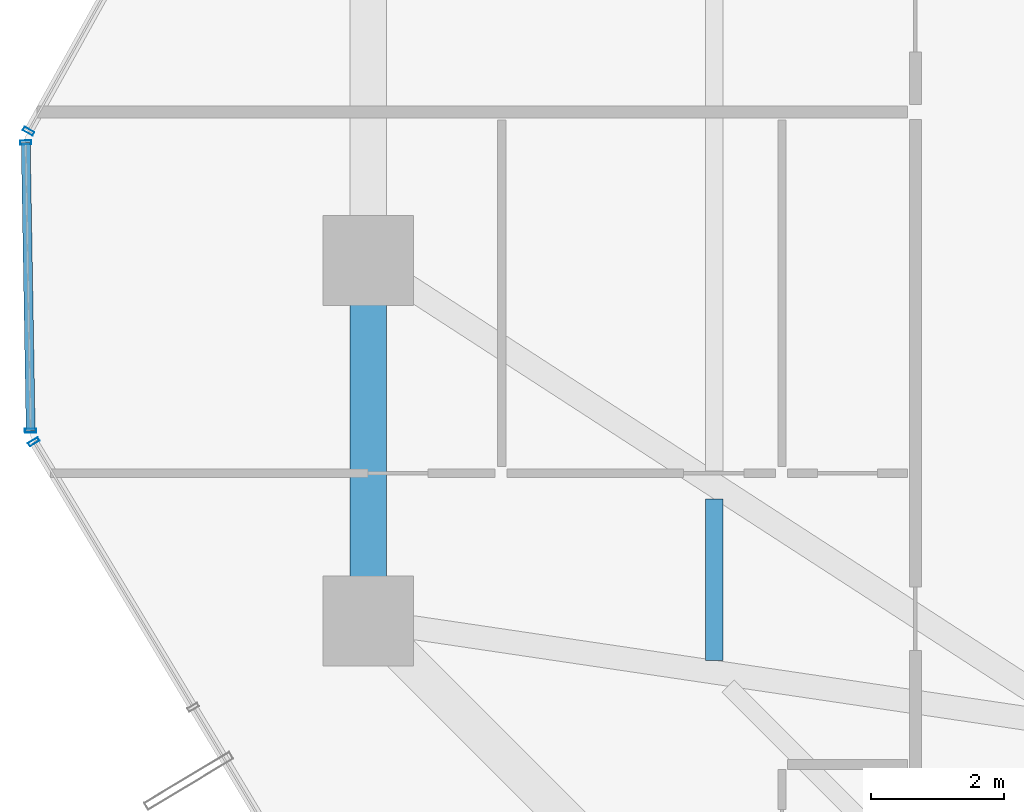
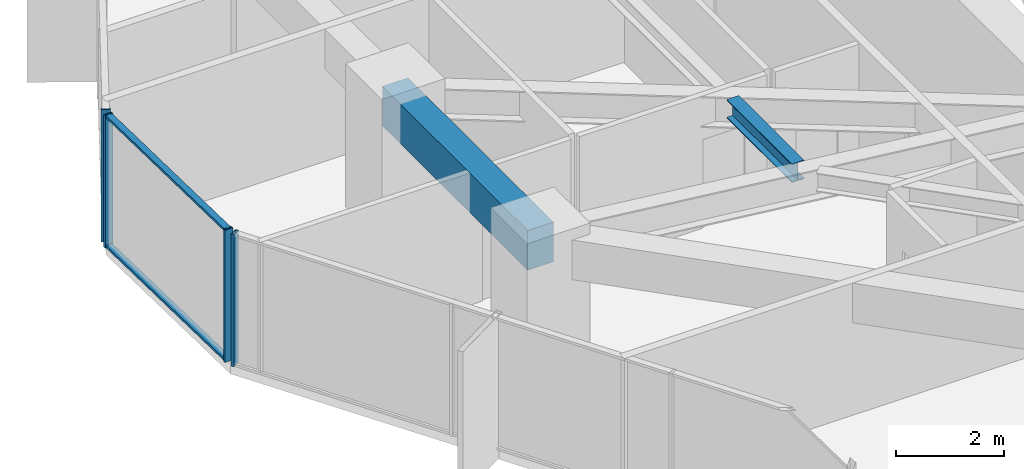
# One storey, part 10 of 39: 6 members, 2 beams, 3 elements without a shape of their own.
"""IFC4 building model written with IfcOpenShell, lengths in metres."""

import ifcopenshell
import ifcopenshell.guid

model = None  # the IFC model being written
_history = None  # IfcOwnerHistory: only IFC2X3 demands one
_inside = {}  # id of a spatial element -> (the spatial element, [elements in it])
_under = {}  # id of a project, library or spatial element -> (it, [spatial elements below it])
_declared = {}  # id of a project -> (the project, [libraries it declares])
_typed = {}  # id of a type object -> (the type object, [elements of that type])
_made_of = {}  # id of a material, layer set ... -> (it, [elements and type objects made of it])


def new_model(schema):
    """Start an empty IFC model of exactly this schema.

    Asked for "IFC4X3", IfcOpenShell would pick the latest addendum, in which some entities
    have other attributes; the version numbers below select the first issue.
    IFC2X3 requires an IfcOwnerHistory on every rooted entity: one is made here for all.
    """
    global model, _history
    if schema == "IFC4X3":
        model = ifcopenshell.file(schema_version=(4, 3, 0, 0))
    else:
        model = ifcopenshell.file(schema=schema)
    _inside.clear()
    _under.clear()
    _declared.clear()
    _typed.clear()
    _made_of.clear()
    _history = None
    if model.schema == "IFC2X3":
        org = make("IfcOrganization", Name="unknown")
        user = make(
            "IfcPersonAndOrganization",
            ThePerson=make("IfcPerson", FamilyName="unknown"),
            TheOrganization=org,
        )
        app = make(
            "IfcApplication",
            ApplicationDeveloper=org,
            Version="unknown",
            ApplicationFullName="unknown",
            ApplicationIdentifier="unknown",
        )
        _history = make(
            "IfcOwnerHistory",
            OwningUser=user,
            OwningApplication=app,
            ChangeAction="ADDED",
            CreationDate=0,
        )
    return model


def make(cls, **values):
    """One entity of the class cls with the attributes given. An attribute that is None is left unset."""
    return model.create_entity(
        cls, **{name: value for name, value in values.items() if value is not None}
    )


def rooted(cls, **values):
    """An entity with a GlobalId (a new one), such as an element, a storey or a relation."""
    return make(cls, GlobalId=ifcopenshell.guid.new(), OwnerHistory=_history, **values)


def si_unit(unit_type, name, prefix=None):
    """IfcSIUnit, for example si_unit("LENGTHUNIT", "METRE", prefix="MILLI")."""
    return make("IfcSIUnit", UnitType=unit_type, Prefix=prefix, Name=name)


def assignment(units):
    """IfcUnitAssignment: the units of a project."""
    return None if units is None else make("IfcUnitAssignment", Units=units)


def point(xyz):
    """IfcCartesianPoint."""
    return None if xyz is None else make("IfcCartesianPoint", Coordinates=xyz)


def direction(xyz):
    """IfcDirection."""
    return None if xyz is None else make("IfcDirection", DirectionRatios=xyz)


def frame(location, z_axis=None, x_axis=None):
    """IfcAxis2Placement3D, a coordinate frame: its origin and axes. An axis left out is left unset."""
    return make(
        "IfcAxis2Placement3D",
        Location=point(location),
        Axis=direction(z_axis),
        RefDirection=direction(x_axis),
    )


def frame_2d(location, x_axis=None):
    """IfcAxis2Placement2D, a coordinate frame in the plane: its origin and x axis."""
    return make(
        "IfcAxis2Placement2D", Location=point(location), RefDirection=direction(x_axis)
    )


def origin():
    """The frame at (0, 0, 0) with its axes left unset."""
    return frame((0.0, 0.0, 0.0))


def origin_2d():
    """The frame at (0, 0) in the plane with its x axis left unset."""
    return frame_2d((0.0, 0.0))


def place(relative_to, where):
    """IfcLocalPlacement: puts the frame where relative to a parent placement (None: the world)."""
    return make(
        "IfcLocalPlacement", PlacementRelTo=relative_to, RelativePlacement=where
    )


def context(
    kind, dimensions, precision=None, world=None, true_north=None, identifier=None
):
    """IfcGeometricRepresentationContext, for example the 3D "Model" context."""
    return make(
        "IfcGeometricRepresentationContext",
        ContextIdentifier=identifier,
        ContextType=kind,
        CoordinateSpaceDimension=dimensions,
        Precision=precision,
        WorldCoordinateSystem=world,
        TrueNorth=true_north,
    )


def subcontext(parent, identifier, kind, view, scale=None):
    """IfcGeometricRepresentationSubContext, for example "Body" below "Model"."""
    return make(
        "IfcGeometricRepresentationSubContext",
        ContextIdentifier=identifier,
        ContextType=kind,
        ParentContext=parent,
        TargetScale=scale,
        TargetView=view,
    )


def project(units=None, contexts=None):
    """IfcProject with its units and contexts."""
    return rooted(
        "IfcProject",
        Name="project",
        RepresentationContexts=contexts,
        UnitsInContext=assignment(units),
    )


def spatial(cls, under=None, at=None, **own):
    """A site, building, storey or space (cls), placed at a placement, below another one or the project."""
    s = rooted(cls, ObjectPlacement=at, **own)
    if under is not None:
        _under.setdefault(under.id(), (under, []))[1].append(s)
    return s


def profile(cls, at=None, kind="AREA", **sizes):
    """A parametric profile (cls). Its sizes go by their IFC names, for example OverallWidth=200.0."""
    return make(cls, ProfileType=kind, Position=at, **sizes)


def rectangle(**sizes):
    """IfcRectangleProfileDef."""
    return profile("IfcRectangleProfileDef", **sizes)


def hollow_rectangle(**sizes):
    """IfcRectangleHollowProfileDef."""
    return profile("IfcRectangleHollowProfileDef", **sizes)


def i_section(**sizes):
    """IfcIShapeProfileDef."""
    return profile("IfcIShapeProfileDef", **sizes)


def extrude(swept, where, along, depth):
    """IfcExtrudedAreaSolid: the profile swept, set in the frame where, extruded along a direction by depth."""
    return make(
        "IfcExtrudedAreaSolid",
        SweptArea=swept,
        Position=where,
        ExtrudedDirection=direction(along),
        Depth=depth,
    )


def shape(context_of_items, identifier, shape_type, items):
    """IfcShapeRepresentation: the items that make up one representation, for example the "Body"."""
    return make(
        "IfcShapeRepresentation",
        ContextOfItems=context_of_items,
        RepresentationIdentifier=identifier,
        RepresentationType=shape_type,
        Items=items,
    )


def source(mapping_origin, context_of_items, identifier, shape_type, items):
    """IfcRepresentationMap: a shape defined once, which mapped items show again and again."""
    return make(
        "IfcRepresentationMap",
        MappingOrigin=mapping_origin,
        MappedRepresentation=shape(context_of_items, identifier, shape_type, items),
    )


def transform(
    local_origin,
    x_axis=None,
    y_axis=None,
    z_axis=None,
    scale=None,
    scale2=None,
    scale3=None,
    uniform=True,
):
    """IfcCartesianTransformationOperator3D, or its non-uniform kind. x_axis, y_axis, z_axis: its Axis1, 2, 3."""
    if uniform:
        return make(
            "IfcCartesianTransformationOperator3D",
            Axis1=direction(x_axis),
            Axis2=direction(y_axis),
            LocalOrigin=point(local_origin),
            Scale=scale,
            Axis3=direction(z_axis),
        )
    return make(
        "IfcCartesianTransformationOperator3DnonUniform",
        Axis1=direction(x_axis),
        Axis2=direction(y_axis),
        LocalOrigin=point(local_origin),
        Scale=scale,
        Axis3=direction(z_axis),
        Scale2=scale2,
        Scale3=scale3,
    )


def mapped(mapping_source, mapping_target):
    """IfcMappedItem: shows the shape of a source again, moved by a transform."""
    return make(
        "IfcMappedItem", MappingSource=mapping_source, MappingTarget=mapping_target
    )


def material(Name=None, Category=None):
    """IfcMaterial."""
    return make("IfcMaterial", Name=Name, Category=Category)


def layer(
    of_material, thickness, ventilated=None, Name=None, Category=None, Priority=None
):
    """IfcMaterialLayer: one layer of a wall or slab, of a material (None: an air gap)."""
    return make(
        "IfcMaterialLayer",
        Material=of_material,
        LayerThickness=thickness,
        IsVentilated=ventilated,
        Name=Name,
        Category=Category,
        Priority=Priority,
    )


def layer_set(layers, Name=None):
    """IfcMaterialLayerSet."""
    return make("IfcMaterialLayerSet", MaterialLayers=layers, LayerSetName=Name)


def material_profile(
    of_material, cross_section, Name=None, Category=None, Priority=None
):
    """IfcMaterialProfile: a cross section and its material."""
    return make(
        "IfcMaterialProfile",
        Name=Name,
        Material=of_material,
        Profile=cross_section,
        Priority=Priority,
        Category=Category,
    )


def profile_set(profiles, Name=None, composite=None):
    """IfcMaterialProfileSet."""
    return make(
        "IfcMaterialProfileSet",
        Name=Name,
        MaterialProfiles=profiles,
        CompositeProfile=composite,
    )


def made_of(thing, what):
    """Note that an element or type object is made of a material, layer set ...; save() writes the relation."""
    if what is not None:
        _made_of.setdefault(what.id(), (what, []))[1].append(thing)
    return thing


def type_object(cls, material=None, **own):
    """A type object (cls), such as IfcWallType, which elements share."""
    return made_of(rooted(cls, **own), material)


def element(
    cls,
    number,
    at=None,
    inside=None,
    cuts=None,
    type_object=None,
    material=None,
    context=None,
    identifier="Body",
    shape_type=None,
    held_by="IfcProductDefinitionShape",
    body=None,
    shapes=None,
    **own,
):
    """One element of the class cls, such as IfcWall. Its Tag is "e" and its number.

    at: its placement. inside: the storey or other place that contains it. cuts: it is an
    opening in that element (IfcRelVoidsElement). A single representation is given by context,
    identifier, shape_type and body (its items); several are given by shapes. held_by: the class
    of the entity that holds the representations. save() writes the other relations.
    """
    e = rooted(cls, Tag="e%d" % number, ObjectPlacement=at, **own)
    if body is not None:
        shapes = [shape(context, identifier, shape_type, body)]
    if shapes is not None:
        e.Representation = make(held_by, Representations=shapes)
    if inside is not None:
        _inside.setdefault(inside.id(), (inside, []))[1].append(e)
    if cuts is not None:
        rooted(
            "IfcRelVoidsElement", RelatingBuildingElement=cuts, RelatedOpeningElement=e
        )
    if type_object is not None:
        _typed.setdefault(type_object.id(), (type_object, []))[1].append(e)
    return made_of(e, material)


def aggregate(whole, parts):
    """IfcRelAggregates: a whole, such as a stair, and the parts it consists of."""
    return rooted("IfcRelAggregates", RelatingObject=whole, RelatedObjects=parts)


def save(model, path):
    """Write the relations noted so far, then the file.

    IfcRelAggregates (storeys below a building ...), IfcRelContainedInSpatialStructure (elements
    in a storey), IfcRelDefinesByType, IfcRelAssociatesMaterial and IfcRelDeclares: one each for
    every whole, place, type object, material and project.
    """
    for whole, parts in _under.values():
        aggregate(whole, parts)
    for where, things in _inside.values():
        rooted(
            "IfcRelContainedInSpatialStructure",
            RelatedElements=things,
            RelatingStructure=where,
        )
    for kind, things in _typed.values():
        rooted("IfcRelDefinesByType", RelatedObjects=things, RelatingType=kind)
    for what, things in _made_of.values():
        rooted("IfcRelAssociatesMaterial", RelatedObjects=things, RelatingMaterial=what)
    for by, libraries in _declared.values():
        rooted("IfcRelDeclares", RelatingContext=by, RelatedDefinitions=libraries)
    model.write(path)


model = new_model("IFC4")

# Units and contexts
model_context = context("Model", 3, precision=1e-05, world=origin(), true_north=direction((0.0, 1.0)))
body_context = subcontext(model_context, "Body", "Model", "MODEL_VIEW")
ifc_project = project(units=[si_unit("LENGTHUNIT", "METRE"), si_unit("AREAUNIT", "SQUARE_METRE"), si_unit("VOLUMEUNIT", "CUBIC_METRE"), si_unit("PLANEANGLEUNIT", "RADIAN"), si_unit("MASSUNIT", "GRAM", prefix="KILO")], contexts=[model_context])

# Site, building, storey
site_placement = place(None, origin())
site = spatial("IfcSite", under=ifc_project, at=site_placement, CompositionType="ELEMENT")
building_placement = place(site_placement, origin())
building = spatial("IfcBuilding", under=site, at=building_placement, Name="Veraguas Prism Commons", CompositionType="ELEMENT")
storey_placement = place(building_placement, frame((0.0, 0.0, 27.300048828125)))
storey = spatial("IfcBuildingStorey", under=building, at=storey_placement, Name="L06", CompositionType="ELEMENT", Elevation=27.300048828125)

# Beams
ifc_material_1 = material(Name="Steel ASTM A992 Grade 50", Category="steel")
ifc_material_profile_1 = material_profile(ifc_material_1, i_section(OverallWidth=0.260986328125, OverallDepth=0.419921875, WebThickness=0.01171875, FlangeThickness=0.019287109375, at=origin_2d()), Name="W410X114")
ifc_profile_set_1 = profile_set([ifc_material_profile_1], Name="Steel ASTM A992 Grade 50")
beam_type_1 = type_object("IfcBeamType", Name="Lower Floor Joist W410x114", PredefinedType="JOIST", material=ifc_profile_set_1)
beam_1_placement = place(storey_placement, frame((11.583984375, 20.430419921875, 2.7900390625), z_axis=(0.0, -1.0, 0.0), x_axis=(1.0, 0.0, 0.0)))
element("IfcBeam", 1, at=beam_1_placement, inside=storey, type_object=beam_type_1, Name="Composite Floor Joist L06-JS08", PredefinedType="JOIST", context=body_context, shape_type="SweptSolid", body=[
    extrude(i_section(OverallWidth=0.260986328125, OverallDepth=0.419921875, WebThickness=0.01171875, FlangeThickness=0.019287109375, at=origin_2d()), origin(), (0.0, 0.0, 1.0), 2.42041015625),
])
ifc_material_2 = material(Name="Concrete C50/60", Category="concrete")
ifc_material_profile_2 = material_profile(ifc_material_2, rectangle(XDim=0.550048828125, YDim=0.89990234375, at=origin_2d()), Name="RC550X900")
ifc_profile_set_2 = profile_set([ifc_material_profile_2], Name="Concrete C50/60")
beam_type_2 = type_object("IfcBeamType", Name="Perimeter Spandrel Lower RC 550x900", PredefinedType="SPANDREL", material=ifc_profile_set_2)
beam_2_placement = place(storey_placement, frame((6.39990234375, 24.0, 2.550048828125), z_axis=(0.0, -1.0, 0.0), x_axis=(1.0, 0.0, 0.0)))
element("IfcBeam", 2, at=beam_2_placement, inside=storey, type_object=beam_type_2, Name="Perimeter Spandrel Beam L06-SP08", PredefinedType="SPANDREL", context=body_context, shape_type="SweptSolid", body=[
    extrude(rectangle(XDim=0.550048828125, YDim=0.89990234375, at=origin_2d()), origin(), (0.0, 0.0, 1.0), 5.39990234375),
])

# Curtain wall, member
ifc_material_3 = material(Name="Anodised aluminium EN AW-6063 T6", Category="aluminium")
ifc_layer = layer(ifc_material_3, 0.169921875, Name="Unitised Flush Curtain Wall Zone 1", Category="aluminium")
ifc_layer_set = layer_set([ifc_layer], Name="Anodised aluminium EN AW-6063 T6")
curtain_wall_type = type_object("IfcCurtainWallType", Name="Unitised Flush Curtain Wall Zone 1", PredefinedType="NOTDEFINED", material=ifc_layer_set)
curtain_wall_1_placement = place(storey_placement, origin())
curtain_wall_1 = element("IfcCurtainWall", 3, at=curtain_wall_1_placement, inside=storey, type_object=curtain_wall_type, Name="Tower Facade Curtain Wall L06-F3", PredefinedType="NOTDEFINED")
ifc_material_profile_3 = material_profile(ifc_material_3, hollow_rectangle(XDim=0.06005859375, YDim=0.169921875, WallThickness=0.00390625, at=origin_2d()), Name="AL60X170X4")
ifc_profile_set_3 = profile_set([ifc_material_profile_3], Name="Anodised aluminium EN AW-6063 T6")
member_type_1 = type_object("IfcMemberType", Name="Curtain Wall Mullion Lower AL 60x170x4", PredefinedType="MULLION", material=ifc_profile_set_3)
shared_shape_1 = source(origin(), body_context, "Body", "SweptSolid", [
    extrude(hollow_rectangle(XDim=0.06005859375, YDim=0.169921875, WallThickness=0.00390625, at=origin_2d()), origin(), (0.0, 0.0, 1.0), 3.0),
])
member_1_placement = place(storey_placement, frame((1.3076171875, 25.940185546875, 0.0), z_axis=(0.0, 0.0, 1.0), x_axis=(-0.485116416779, -0.874449576689, 0.0)))
member_1 = element("IfcMember", 4, at=member_1_placement, type_object=member_type_1, Name="CW-Z1 Mullion 5", PredefinedType="MULLION", context=body_context, shape_type="MappedRepresentation", body=[
    mapped(shared_shape_1, transform((0.0, 0.0, 0.0), scale=1.0)),
])
aggregate(curtain_wall_1, [member_1])

curtain_wall_2_placement = place(storey_placement, origin())
curtain_wall_2 = element("IfcCurtainWall", 5, at=curtain_wall_2_placement, inside=storey, type_object=curtain_wall_type, Name="Tower Facade Curtain Wall L06-F4", PredefinedType="NOTDEFINED")
member_2_placement = place(storey_placement, frame((1.38720703125, 21.284912109375, 0.0), z_axis=(0.0, 0.0, 1.0), x_axis=(0.51473434664, -0.857349725835, 0.0)))
member_2 = element("IfcMember", 6, at=member_2_placement, type_object=member_type_1, Name="CW-Z1 Mullion 1", PredefinedType="MULLION", context=body_context, shape_type="MappedRepresentation", body=[
    mapped(shared_shape_1, transform((0.0, 0.0, 0.0), scale=1.0)),
])
aggregate(curtain_wall_2, [member_2])

# Curtain wall, members
curtain_wall_3_placement = place(storey_placement, origin())
curtain_wall_3 = element("IfcCurtainWall", 7, at=curtain_wall_3_placement, inside=storey, type_object=curtain_wall_type, Name="Chamfer Curtain Wall L06-C4", PredefinedType="NOTDEFINED")
member_3_placement = place(storey_placement, frame((1.265380859375, 25.771484375, 0.0), z_axis=(0.0, 0.0, 1.0), x_axis=(0.017099902547, -0.999853785977, 0.0)))
member_3 = element("IfcMember", 8, at=member_3_placement, type_object=member_type_1, Name="CW-Z1 Mullion 1", PredefinedType="MULLION", context=body_context, shape_type="MappedRepresentation", body=[
    mapped(shared_shape_1, transform((0.0, 0.0, 0.0), scale=1.0)),
])
member_4_placement = place(storey_placement, frame((1.33935546875, 21.4521484375, 0.0), z_axis=(0.0, 0.0, 1.0), x_axis=(0.017099902547, -0.999853785977, 0.0)))
member_4 = element("IfcMember", 9, at=member_4_placement, type_object=member_type_1, Name="CW-Z1 Mullion 2", PredefinedType="MULLION", context=body_context, shape_type="MappedRepresentation", body=[
    mapped(shared_shape_1, transform((0.0, 0.0, 0.0), scale=1.0)),
])
ifc_material_profile_4 = material_profile(ifc_material_3, hollow_rectangle(XDim=0.054931640625, YDim=0.135009765625, WallThickness=0.0029296875, at=origin_2d()), Name="AL55X135X3")
ifc_profile_set_4 = profile_set([ifc_material_profile_4], Name="Anodised aluminium EN AW-6063 T6")
member_type_2 = type_object("IfcMemberType", Name="Curtain Wall Transom Standard AL 55x135x3", PredefinedType="USERDEFINED", material=ifc_profile_set_4)
shared_shape_2 = source(origin(), body_context, "Body", "SweptSolid", [
    extrude(hollow_rectangle(XDim=0.054931640625, YDim=0.135009765625, WallThickness=0.0029296875, at=origin_2d()), origin(), (0.0, 0.0, 1.0), 4.320068359375),
])
member_5_placement = place(storey_placement, frame((1.265380859375, 25.771484375, 0.02734375), z_axis=(0.017123873663, -0.999853375726, 0.0), x_axis=(0.0, 0.0, 1.0)))
member_5 = element("IfcMember", 10, at=member_5_placement, type_object=member_type_2, Name="CW-Z1 Transom 1", ObjectType="TRANSOM", PredefinedType="USERDEFINED", context=body_context, shape_type="MappedRepresentation", body=[
    mapped(shared_shape_2, transform((0.0, 0.0, 0.0), scale=1.0)),
])
member_6_placement = place(storey_placement, frame((1.265380859375, 25.771484375, 2.972412109375), z_axis=(0.017123873663, -0.999853375726, 0.0), x_axis=(0.0, 0.0, 1.0)))
member_6 = element("IfcMember", 11, at=member_6_placement, type_object=member_type_2, Name="CW-Z1 Transom 2", ObjectType="TRANSOM", PredefinedType="USERDEFINED", context=body_context, shape_type="MappedRepresentation", body=[
    mapped(shared_shape_2, transform((0.0, 0.0, 0.0), scale=1.0)),
])
aggregate(curtain_wall_3, [member_3, member_4, member_5, member_6])

save(model, "model.ifc")
